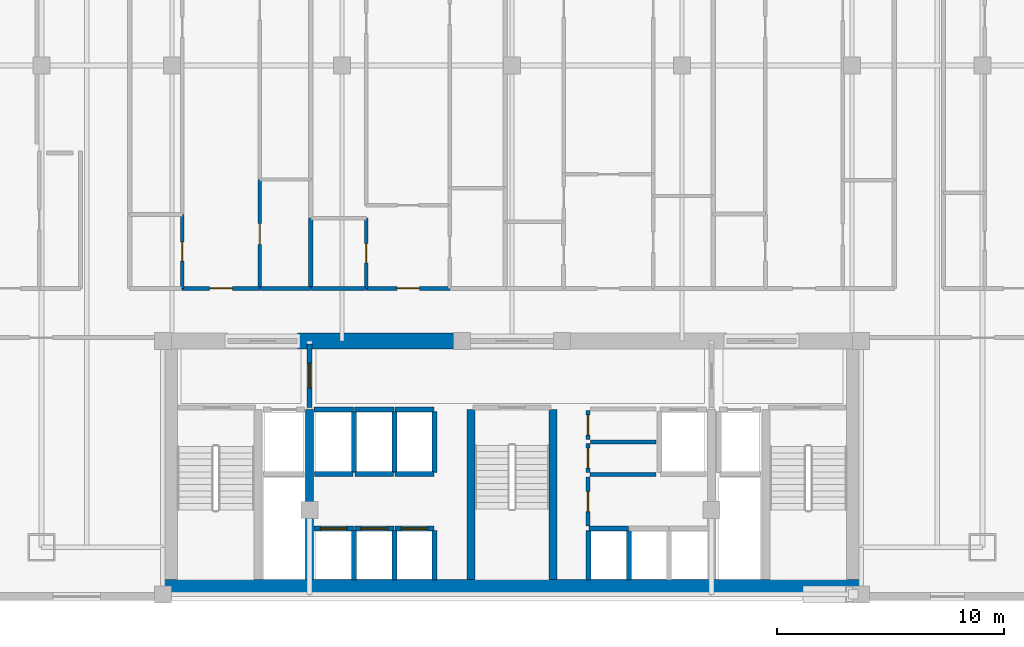
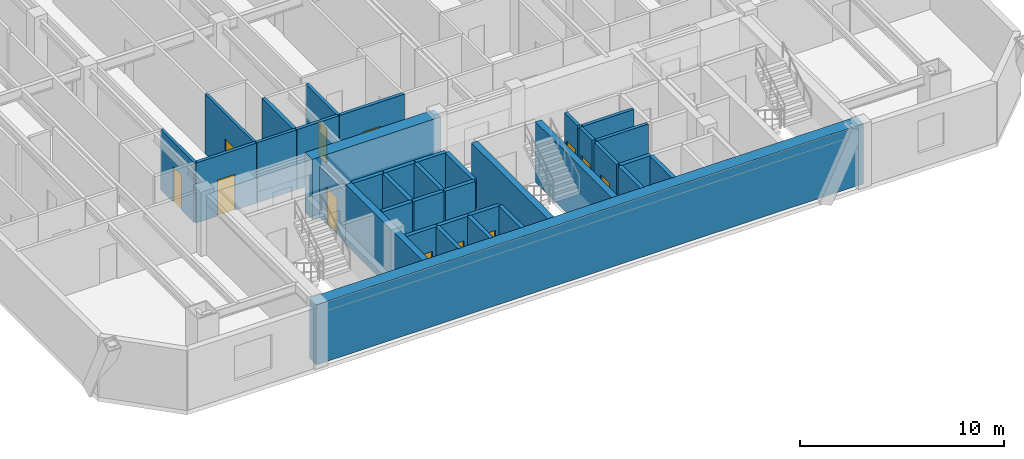
# One storey, part 3 of 11: 37 walls, 12 doors, 12 openings.
"""IFC4 building model written with IfcOpenShell, lengths in metres."""

from ifc_helpers import new_model, si_unit, direction, frame, frame_2d, origin, place, context, subcontext, project, spatial, rectangle, extrude, material, layer, layer_set, type_object, element, fill, save


model = new_model("IFC4")

# Units and contexts
model_context = context("Model", 3, precision=1e-05, world=origin(), true_north=direction((0.0, 1.0)))
body_context = subcontext(model_context, "Body", "Model", "MODEL_VIEW")
ifc_project = project(units=[si_unit("LENGTHUNIT", "METRE"), si_unit("AREAUNIT", "SQUARE_METRE"), si_unit("VOLUMEUNIT", "CUBIC_METRE"), si_unit("PLANEANGLEUNIT", "RADIAN"), si_unit("MASSUNIT", "GRAM", prefix="KILO")], contexts=[model_context])

# Site, building, storey
site_placement = place(None, origin())
site = spatial("IfcSite", under=ifc_project, at=site_placement, CompositionType="ELEMENT")
building_placement = place(site_placement, origin())
building = spatial("IfcBuilding", under=site, at=building_placement, Name="Ventersveld Concourse Tower", CompositionType="ELEMENT")
storey_placement = place(building_placement, frame((0.0, 0.0, 119.550048828125)))
storey = spatial("IfcBuildingStorey", under=building, at=storey_placement, Name="L29", CompositionType="ELEMENT", Elevation=119.550048828125)

# Walls
ifc_material_1 = material(Name="Concrete C60/75", Category="concrete")
ifc_layer_1 = layer(ifc_material_1, 0.35009765625)
ifc_layer_set_1 = layer_set([ifc_layer_1], Name="Concrete C60/75")
wall_type_1 = type_object("IfcWallType", Name="WL-CORE-350L", PredefinedType="SHEAR", material=ifc_layer_set_1)
for number, where, z_axis, x_axis, name in (
    (1, (19.820068359375, 0.919921875, 0.0), (0.0, 0.0, 1.0), (0.0, 1.0, 0.0), "L29 Core Internal Shear Web W-FF1-E"),
    (2, (26.93994140625, 0.919921875, 0.0), (0.0, 0.0, 1.0), (0.0, 1.0, 0.0), "L29 Core Internal Shear Web W-ST3-W"),
    (3, (30.56005859375, 0.919921875, 0.0), (0.0, 0.0, 1.0), (0.0, 1.0, 0.0), "L29 Core Internal Shear Web W-ST3-E"),
):
    element("IfcWall", number, at=place(storey_placement, frame(where, z_axis=z_axis, x_axis=x_axis)), inside=storey, type_object=wall_type_1, Name=name, PredefinedType="SHEAR", context=body_context, shape_type="SweptSolid", body=[
        extrude(rectangle(XDim=7.5, YDim=0.35009765625, at=frame_2d((3.75, 0.0))), origin(), (0.0, 0.0, 1.0), 3.599853515625),
    ])
ifc_layer_2 = layer(ifc_material_1, 0.699951171875)
ifc_layer_set_2 = layer_set([ifc_layer_2], Name="Concrete C60/75")
wall_type_2 = type_object("IfcWallType", Name="WL-CORE-700", PredefinedType="SHEAR", material=ifc_layer_set_2)
wall_1_placement = place(storey_placement, frame((13.25, 0.570068359375, 0.0), z_axis=(0.0, 0.0, 1.0), x_axis=(1.0, 0.0, 0.0)))
element("IfcWall", 4, at=wall_1_placement, inside=storey, type_object=wall_type_2, Name="L29 Rear Core South Shear Wall", PredefinedType="SHEAR", context=body_context, shape_type="SweptSolid", body=[
    extrude(rectangle(XDim=31.0, YDim=0.699951171875, at=frame_2d((15.5, 0.0))), origin(), (0.0, 0.0, 1.0), 3.599853515625),
])
wall_2_placement = place(storey_placement, frame((19.300048828125, 11.449951171875, 0.0), z_axis=(0.0, 0.0, 1.0), x_axis=(1.0, 0.0, 0.0)))
element("IfcWall", 5, at=wall_2_placement, inside=storey, type_object=wall_type_2, Name="L29 Rear Core North Shear Wall NML", PredefinedType="SHEAR", context=body_context, shape_type="SweptSolid", body=[
    extrude(rectangle(XDim=7.300048828125, YDim=0.699951171875, at=frame_2d((3.64990234375, 0.0))), origin(), (0.0, 0.0, 1.0), 3.599853515625),
])

# Wall, opening, door
ifc_material_2 = material(Name="Fire-rated autoclaved aerated masonry blockwork", Category="masonry")
ifc_layer_3 = layer(ifc_material_2, 0.179931640625)
ifc_layer_set_3 = layer_set([ifc_layer_3], Name="Fire-rated autoclaved aerated masonry blockwork")
wall_type_3 = type_object("IfcWallType", Name="WL-CORR-180", PredefinedType="PARTITIONING", material=ifc_layer_set_3)
wall_3_placement = place(storey_placement, frame((32.10009765625, 5.64990234375, 0.0), z_axis=(0.0, 0.0, 1.0), x_axis=(0.0, 1.0, 0.0)))
wall_3 = element("IfcWall", 6, at=wall_3_placement, inside=storey, type_object=wall_type_3, Name="L29 Core Passage Wall SP-L29-CBAY1S", PredefinedType="PARTITIONING", context=body_context, shape_type="SweptSolid", body=[
    extrude(rectangle(XDim=1.27001953125, YDim=0.179931640625, at=frame_2d((0.635009765625, 0.0))), origin(), (0.0, 0.0, 1.0), 3.599853515625),
])
opening_1_placement = place(wall_3_placement, frame((0.195068359375, 0.0, 0.0)))
opening_1 = element("IfcOpeningElement", 7, at=opening_1_placement, cuts=wall_3, Name="Opening FD5", PredefinedType="OPENING", context=body_context, shape_type="SweptSolid", body=[
    extrude(rectangle(XDim=0.8798828125, YDim=2.050048828125, at=frame_2d((0.43994140625, 1.02490234375))), frame((0.0, 0.10009765625, 0.0), z_axis=(0.0, -1.0, 0.0), x_axis=(1.0, 0.0, 0.0)), (0.0, 0.0, 1.0), 0.199951171875),
])
ifc_material_3 = material(Name="Galvanised painted steel", Category="steel")
door_type_1 = type_object("IfcDoorType", Name="DR-RISER-088", OperationType="NOTDEFINED", PredefinedType="DOOR", material=ifc_material_3)
door_1_placement = place(opening_1_placement, origin())
door_1 = element("IfcDoor", 8, at=door_1_placement, inside=storey, type_object=door_type_1, Name="L29 Core Room Door L29 Core Cleaner Store (CD-L29-1427)", OperationType="SINGLE_SWING_RIGHT", OverallHeight=2.050048828125, OverallWidth=0.8798828125, PredefinedType="DOOR", context=body_context, shape_type="SweptSolid", body=[
    extrude(rectangle(XDim=0.8798828125, YDim=2.050048828125, at=frame_2d((0.43994140625, 1.02490234375))), frame((0.0, 0.02490234375, 0.0), z_axis=(0.0, -1.0, 0.0), x_axis=(1.0, 0.0, 0.0)), (0.0, 0.0, 1.0), 0.050048828125),
])
fill(opening_1, door_1)

# Walls
wall_4_placement = place(storey_placement, frame((32.219970703125, 7.0, 0.0), z_axis=(0.0, 0.0, 1.0), x_axis=(1.0, 0.0, 0.0)))
element("IfcWall", 9, at=wall_4_placement, inside=storey, type_object=wall_type_3, Name="L29 Core Top Wall SP-L29-CBAY1S", PredefinedType="PARTITIONING", context=body_context, shape_type="SweptSolid", body=[
    extrude(rectangle(XDim=2.880126953125, YDim=0.179931640625, at=frame_2d((1.43994140625, 0.0))), origin(), (0.0, 0.0, 1.0), 3.599853515625),
])
wall_5_placement = place(storey_placement, frame((32.179931640625, 5.570068359375, 0.0), z_axis=(0.0, 0.0, 1.0), x_axis=(1.0, 0.0, 0.0)))
element("IfcWall", 10, at=wall_5_placement, inside=storey, type_object=wall_type_3, Name="L29 Core Bot Wall SP-L29-CBAY1S", PredefinedType="PARTITIONING", context=body_context, shape_type="SweptSolid", body=[
    extrude(rectangle(XDim=2.920166015625, YDim=0.179931640625, at=frame_2d((1.4599609375, 0.0))), origin(), (0.0, 0.0, 1.0), 3.599853515625),
])

# Wall, opening, door
wall_6_placement = place(storey_placement, frame((32.10009765625, 7.10009765625, 0.0), z_axis=(0.0, 0.0, 1.0), x_axis=(0.0, 1.0, 0.0)))
wall_6 = element("IfcWall", 11, at=wall_6_placement, inside=storey, type_object=wall_type_3, Name="L29 Core Passage Wall SP-L29-CBAY1N", PredefinedType="PARTITIONING", context=body_context, shape_type="SweptSolid", body=[
    extrude(rectangle(XDim=1.27978515625, YDim=0.179931640625, at=frame_2d((0.639892578125, 0.0))), origin(), (0.0, 0.0, 1.0), 3.599853515625),
])
opening_2_placement = place(wall_6_placement, frame((0.199951171875, 0.0, 0.0)))
opening_2 = element("IfcOpeningElement", 12, at=opening_2_placement, cuts=wall_6, Name="Opening FD5", PredefinedType="OPENING", context=body_context, shape_type="SweptSolid", body=[
    extrude(rectangle(XDim=0.8798828125, YDim=2.050048828125, at=frame_2d((0.43994140625, 1.02490234375))), frame((0.0, 0.10009765625, 0.0), z_axis=(0.0, -1.0, 0.0), x_axis=(1.0, 0.0, 0.0)), (0.0, 0.0, 1.0), 0.199951171875),
])
door_2_placement = place(opening_2_placement, origin())
door_2 = element("IfcDoor", 13, at=door_2_placement, inside=storey, type_object=door_type_1, Name="L29 Core Room Door L29 Core Concierge Desk Room (CD-L29-1428)", OperationType="SINGLE_SWING_LEFT", OverallHeight=2.050048828125, OverallWidth=0.8798828125, PredefinedType="DOOR", context=body_context, shape_type="SweptSolid", body=[
    extrude(rectangle(XDim=0.8798828125, YDim=2.050048828125, at=frame_2d((0.43994140625, 1.02490234375))), frame((0.0, 0.02490234375, 0.0), z_axis=(0.0, -1.0, 0.0), x_axis=(1.0, 0.0, 0.0)), (0.0, 0.0, 1.0), 0.050048828125),
])
fill(opening_2, door_2)

wall_7_placement = place(storey_placement, frame((32.10009765625, 3.280029296875, 0.0), z_axis=(0.0, 0.0, 1.0), x_axis=(0.0, 1.0, 0.0)))
wall_7 = element("IfcWall", 14, at=wall_7_placement, inside=storey, type_object=wall_type_3, Name="L29 Core Passage Wall SP-L29-CBAY2", PredefinedType="PARTITIONING", context=body_context, shape_type="SweptSolid", body=[
    extrude(rectangle(XDim=2.169921875, YDim=0.179931640625, at=frame_2d((1.0849609375, 0.0))), origin(), (0.0, 0.0, 1.0), 3.599853515625),
])
opening_3_placement = place(wall_7_placement, frame((0.64501953125, 0.0, 0.0)))
opening_3 = element("IfcOpeningElement", 15, at=opening_3_placement, cuts=wall_7, Name="Opening FD5", PredefinedType="OPENING", context=body_context, shape_type="SweptSolid", body=[
    extrude(rectangle(XDim=0.8798828125, YDim=2.050048828125, at=frame_2d((0.43994140625, 1.02490234375))), frame((0.0, 0.10009765625, 0.0), z_axis=(0.0, -1.0, 0.0), x_axis=(1.0, 0.0, 0.0)), (0.0, 0.0, 1.0), 0.199951171875),
])
door_3_placement = place(opening_3_placement, origin())
door_3 = element("IfcDoor", 16, at=door_3_placement, inside=storey, type_object=door_type_1, Name="L29 Core Room Door L29 Core Linen Alcove Store (CD-L29-1429)", OperationType="SINGLE_SWING_RIGHT", OverallHeight=2.050048828125, OverallWidth=0.8798828125, PredefinedType="DOOR", context=body_context, shape_type="SweptSolid", body=[
    extrude(rectangle(XDim=0.8798828125, YDim=2.050048828125, at=frame_2d((0.43994140625, 1.02490234375))), frame((0.0, 0.02490234375, 0.0), z_axis=(0.0, -1.0, 0.0), x_axis=(1.0, 0.0, 0.0)), (0.0, 0.0, 1.0), 0.050048828125),
])
fill(opening_3, door_3)

wall_8_placement = place(storey_placement, frame((14.2060546875, 13.77001953125, 0.0), z_axis=(0.0, 0.0, 1.0), x_axis=(1.0, 0.0, 0.0)))
wall_8 = element("IfcWall", 17, at=wall_8_placement, inside=storey, type_object=wall_type_3, Name="L29 Interior Partition SP-L29-COR-SP-L29-29N1-LIV", PredefinedType="PARTITIONING", context=body_context, shape_type="SweptSolid", body=[
    extrude(rectangle(XDim=3.422119140625, YDim=0.179931640625, at=frame_2d((1.7109375, 0.0))), origin(), (0.0, 0.0, 1.0), 3.599853515625),
])
opening_4_placement = place(wall_8_placement, frame((1.211181640625, 0.0, 0.0)))
opening_4 = element("IfcOpeningElement", 18, at=opening_4_placement, cuts=wall_8, Name="Opening FD3", PredefinedType="OPENING", context=body_context, shape_type="SweptSolid", body=[
    extrude(rectangle(XDim=1.0, YDim=2.14990234375, at=frame_2d((0.5, 1.074951171875))), frame((0.0, 0.10009765625, 0.0), z_axis=(0.0, -1.0, 0.0), x_axis=(1.0, 0.0, 0.0)), (0.0, 0.0, 1.0), 0.199951171875),
])
ifc_material_4 = material(Name="Solid-core hardwood veneer timber", Category="wood")
door_type_2 = type_object("IfcDoorType", Name="DR-FLAT-100", OperationType="NOTDEFINED", PredefinedType="DOOR", material=ifc_material_4)
door_4_placement = place(opening_4_placement, origin())
door_4 = element("IfcDoor", 19, at=door_4_placement, inside=storey, type_object=door_type_2, Name="L29 Interior Door SP-L29-COR to SP-L29-29N1-LIV (FD-L29-1434)", OperationType="SINGLE_SWING_RIGHT", OverallHeight=2.14990234375, OverallWidth=1.0, PredefinedType="DOOR", context=body_context, shape_type="SweptSolid", body=[
    extrude(rectangle(XDim=1.0, YDim=2.14990234375, at=frame_2d((0.5, 1.074951171875))), frame((0.0, 0.02490234375, 0.0), z_axis=(0.0, -1.0, 0.0), x_axis=(1.0, 0.0, 0.0)), (0.0, 0.0, 1.0), 0.050048828125),
])
fill(opening_4, door_4)

# Wall
wall_9_placement = place(storey_placement, frame((17.658203125, 13.77001953125, 0.0), z_axis=(0.0, 0.0, 1.0), x_axis=(1.0, 0.0, 0.0)))
element("IfcWall", 20, at=wall_9_placement, inside=storey, type_object=wall_type_3, Name="L29 Interior Partition SP-L29-COR-SP-L29-29N1-KIT", PredefinedType="PARTITIONING", context=body_context, shape_type="SweptSolid", body=[
    extrude(rectangle(XDim=2.22607421875, YDim=0.179931640625, at=frame_2d((1.113037109375, 0.0))), origin(), (0.0, 0.0, 1.0), 3.599853515625),
])

# Wall, opening, door
wall_10_placement = place(storey_placement, frame((22.3212890625, 13.77001953125, 0.0), z_axis=(0.0, 0.0, 1.0), x_axis=(1.0, 0.0, 0.0)))
wall_10 = element("IfcWall", 21, at=wall_10_placement, inside=storey, type_object=wall_type_3, Name="L29 Interior Partition SP-L29-COR-SP-L29-29N2-FOY", PredefinedType="PARTITIONING", context=body_context, shape_type="SweptSolid", body=[
    extrude(rectangle(XDim=3.692626953125, YDim=0.179931640625, at=frame_2d((1.84619140625, 0.0))), origin(), (0.0, 0.0, 1.0), 3.599853515625),
])
opening_5_placement = place(wall_10_placement, frame((1.34619140625, 0.0, 0.0)))
opening_5 = element("IfcOpeningElement", 22, at=opening_5_placement, cuts=wall_10, Name="Opening FD3", PredefinedType="OPENING", context=body_context, shape_type="SweptSolid", body=[
    extrude(rectangle(XDim=1.0, YDim=2.14990234375, at=frame_2d((0.5, 1.074951171875))), frame((0.0, 0.10009765625, 0.0), z_axis=(0.0, -1.0, 0.0), x_axis=(1.0, 0.0, 0.0)), (0.0, 0.0, 1.0), 0.199951171875),
])
door_5_placement = place(opening_5_placement, origin())
door_5 = element("IfcDoor", 23, at=door_5_placement, inside=storey, type_object=door_type_2, Name="L29 Interior Door SP-L29-COR to SP-L29-29N2-FOY (FD-L29-1435)", OperationType="SINGLE_SWING_LEFT", OverallHeight=2.14990234375, OverallWidth=1.0, PredefinedType="DOOR", context=body_context, shape_type="SweptSolid", body=[
    extrude(rectangle(XDim=1.0, YDim=2.14990234375, at=frame_2d((0.5, 1.074951171875))), frame((0.0, 0.02490234375, 0.0), z_axis=(0.0, -1.0, 0.0), x_axis=(1.0, 0.0, 0.0)), (0.0, 0.0, 1.0), 0.050048828125),
])
fill(opening_5, door_5)

# Walls
wall_11_placement = place(storey_placement, frame((19.914306640625, 13.77001953125, 0.0), z_axis=(0.0, 0.0, 1.0), x_axis=(1.0, 0.0, 0.0)))
element("IfcWall", 24, at=wall_11_placement, inside=storey, type_object=wall_type_3, Name="L29 Interior Partition SP-L29-COR-SP-L29-29N2-BATH", PredefinedType="PARTITIONING", context=body_context, shape_type="SweptSolid", body=[
    extrude(rectangle(XDim=2.377197265625, YDim=0.179931640625, at=frame_2d((1.1884765625, 0.0))), origin(), (0.0, 0.0, 1.0), 3.599853515625),
])
ifc_layer_4 = layer(ifc_material_2, 0.199951171875)
ifc_layer_set_4 = layer_set([ifc_layer_4], Name="Fire-rated autoclaved aerated masonry blockwork")
wall_type_4 = type_object("IfcWallType", Name="WL-DEMISE-200", PredefinedType="PARTITIONING", material=ifc_layer_set_4)
wall_12_placement = place(storey_placement, frame((19.879150390625, 13.764892578125, 0.0), z_axis=(0.0, 0.0, 1.0), x_axis=(0.0, 1.0, 0.0)))
element("IfcWall", 25, at=wall_12_placement, inside=storey, type_object=wall_type_4, Name="L29 Interior Partition SP-L29-29N1-KIT-SP-L29-29N2-BATH", PredefinedType="PARTITIONING", context=body_context, shape_type="SweptSolid", body=[
    extrude(rectangle(XDim=3.101318359375, YDim=0.199951171875, at=frame_2d((1.55078125, 0.0))), origin(), (0.0, 0.0, 1.0), 3.599853515625),
])
ifc_layer_5 = layer(ifc_material_2, 0.219970703125)
ifc_layer_set_5 = layer_set([ifc_layer_5], Name="Fire-rated autoclaved aerated masonry blockwork")
wall_type_5 = type_object("IfcWallType", Name="WL-HOIST-220", PredefinedType="SOLIDWALL", material=ifc_layer_set_5)
wall_13_placement = place(storey_placement, frame((21.780029296875, 0.89990234375, 0.0), z_axis=(0.0, 0.0, 1.0), x_axis=(0.0, 1.0, 0.0)))
element("IfcWall", 26, at=wall_13_placement, inside=storey, type_object=wall_type_5, Name="L29 Lift Hoistway Side Wall PL-01E", PredefinedType="SOLIDWALL", context=body_context, shape_type="SweptSolid", body=[
    extrude(rectangle(XDim=2.2001953125, YDim=0.219970703125, at=frame_2d((1.10009765625, 0.0))), origin(), (0.0, 0.0, 1.0), 3.599853515625),
])

# Wall, opening, door
wall_14_placement = place(storey_placement, frame((20.02001953125, 3.179931640625, 0.0), z_axis=(0.0, 0.0, 1.0), x_axis=(1.0, 0.0, 0.0)))
wall_14 = element("IfcWall", 27, at=wall_14_placement, inside=storey, type_object=wall_type_5, Name="L29 Lift Hoistway Front Wall PL-01", PredefinedType="SOLIDWALL", context=body_context, shape_type="SweptSolid", body=[
    extrude(rectangle(XDim=1.739990234375, YDim=0.219970703125, at=frame_2d((0.8701171875, 0.0))), origin(), (0.0, 0.0, 1.0), 3.599853515625),
])
opening_6_placement = place(wall_14_placement, frame((0.280029296875, 0.0, 0.0)))
opening_6 = element("IfcOpeningElement", 28, at=opening_6_placement, cuts=wall_14, Name="Opening LD2", PredefinedType="OPENING", context=body_context, shape_type="SweptSolid", body=[
    extrude(rectangle(XDim=1.179931640625, YDim=2.199951171875, at=frame_2d((0.58984375, 1.10009765625))), frame((0.0, 0.1201171875, 0.0), z_axis=(0.0, -1.0, 0.0), x_axis=(1.0, 0.0, 0.0)), (0.0, 0.0, 1.0), 0.239990234375),
])
ifc_material_5 = material(Name="Brushed stainless steel 316", Category="steel")
door_type_3 = type_object("IfcDoorType", Name="LD-PAX-118", OperationType="SLIDING_TO_LEFT", PredefinedType="DOOR", material=ifc_material_5)
door_6_placement = place(opening_6_placement, origin())
door_6 = element("IfcDoor", 29, at=door_6_placement, inside=storey, type_object=door_type_3, Name="L29 Lift landing door PL-01 (LD-L29-PL-01)", OperationType="SLIDING_TO_RIGHT", OverallHeight=2.199951171875, OverallWidth=1.179931640625, PredefinedType="DOOR", context=body_context, shape_type="SweptSolid", body=[
    extrude(rectangle(XDim=1.179931640625, YDim=2.199951171875, at=frame_2d((0.58984375, 1.10009765625))), frame((0.0, 0.02490234375, 0.0), z_axis=(0.0, -1.0, 0.0), x_axis=(1.0, 0.0, 0.0)), (0.0, 0.0, 1.0), 0.050048828125),
])
fill(opening_6, door_6)

# Wall
wall_15_placement = place(storey_placement, frame((23.56005859375, 0.89990234375, 0.0), z_axis=(0.0, 0.0, 1.0), x_axis=(0.0, 1.0, 0.0)))
element("IfcWall", 30, at=wall_15_placement, inside=storey, type_object=wall_type_5, Name="L29 Lift Hoistway Side Wall PL-02E", PredefinedType="SOLIDWALL", context=body_context, shape_type="SweptSolid", body=[
    extrude(rectangle(XDim=2.2001953125, YDim=0.219970703125, at=frame_2d((1.10009765625, 0.0))), origin(), (0.0, 0.0, 1.0), 3.599853515625),
])

# Wall, opening, door
wall_16_placement = place(storey_placement, frame((21.800048828125, 3.179931640625, 0.0), z_axis=(0.0, 0.0, 1.0), x_axis=(1.0, 0.0, 0.0)))
wall_16 = element("IfcWall", 31, at=wall_16_placement, inside=storey, type_object=wall_type_5, Name="L29 Lift Hoistway Front Wall PL-02", PredefinedType="SOLIDWALL", context=body_context, shape_type="SweptSolid", body=[
    extrude(rectangle(XDim=1.739990234375, YDim=0.219970703125, at=frame_2d((0.8701171875, 0.0))), origin(), (0.0, 0.0, 1.0), 3.599853515625),
])
opening_7_placement = place(wall_16_placement, frame((0.280029296875, 0.0, 0.0)))
opening_7 = element("IfcOpeningElement", 32, at=opening_7_placement, cuts=wall_16, Name="Opening LD2", PredefinedType="OPENING", context=body_context, shape_type="SweptSolid", body=[
    extrude(rectangle(XDim=1.179931640625, YDim=2.199951171875, at=frame_2d((0.58984375, 1.10009765625))), frame((0.0, 0.1201171875, 0.0), z_axis=(0.0, -1.0, 0.0), x_axis=(1.0, 0.0, 0.0)), (0.0, 0.0, 1.0), 0.239990234375),
])
door_7_placement = place(opening_7_placement, origin())
door_7 = element("IfcDoor", 33, at=door_7_placement, inside=storey, type_object=door_type_3, Name="L29 Lift landing door PL-02 (LD-L29-PL-02)", OperationType="SLIDING_TO_LEFT", OverallHeight=2.199951171875, OverallWidth=1.179931640625, PredefinedType="DOOR", context=body_context, shape_type="SweptSolid", body=[
    extrude(rectangle(XDim=1.179931640625, YDim=2.199951171875, at=frame_2d((0.58984375, 1.10009765625))), frame((0.0, 0.02490234375, 0.0), z_axis=(0.0, -1.0, 0.0), x_axis=(1.0, 0.0, 0.0)), (0.0, 0.0, 1.0), 0.050048828125),
])
fill(opening_7, door_7)

# Wall
wall_17_placement = place(storey_placement, frame((25.340087890625, 0.89990234375, 0.0), z_axis=(0.0, 0.0, 1.0), x_axis=(0.0, 1.0, 0.0)))
element("IfcWall", 34, at=wall_17_placement, inside=storey, type_object=wall_type_5, Name="L29 Lift Hoistway Side Wall PL-03E", PredefinedType="SOLIDWALL", context=body_context, shape_type="SweptSolid", body=[
    extrude(rectangle(XDim=2.2001953125, YDim=0.219970703125, at=frame_2d((1.10009765625, 0.0))), origin(), (0.0, 0.0, 1.0), 3.599853515625),
])

# Wall, opening, door
wall_18_placement = place(storey_placement, frame((23.580078125, 3.179931640625, 0.0), z_axis=(0.0, 0.0, 1.0), x_axis=(1.0, 0.0, 0.0)))
wall_18 = element("IfcWall", 35, at=wall_18_placement, inside=storey, type_object=wall_type_5, Name="L29 Lift Hoistway Front Wall PL-03", PredefinedType="SOLIDWALL", context=body_context, shape_type="SweptSolid", body=[
    extrude(rectangle(XDim=1.739990234375, YDim=0.219970703125, at=frame_2d((0.8701171875, 0.0))), origin(), (0.0, 0.0, 1.0), 3.599853515625),
])
opening_8_placement = place(wall_18_placement, frame((0.280029296875, 0.0, 0.0)))
opening_8 = element("IfcOpeningElement", 36, at=opening_8_placement, cuts=wall_18, Name="Opening LD2", PredefinedType="OPENING", context=body_context, shape_type="SweptSolid", body=[
    extrude(rectangle(XDim=1.179931640625, YDim=2.199951171875, at=frame_2d((0.58984375, 1.10009765625))), frame((0.0, 0.1201171875, 0.0), z_axis=(0.0, -1.0, 0.0), x_axis=(1.0, 0.0, 0.0)), (0.0, 0.0, 1.0), 0.239990234375),
])
door_8_placement = place(opening_8_placement, origin())
door_8 = element("IfcDoor", 37, at=door_8_placement, inside=storey, type_object=door_type_3, Name="L29 Lift landing door PL-03 (LD-L29-PL-03)", OperationType="SLIDING_TO_RIGHT", OverallHeight=2.199951171875, OverallWidth=1.179931640625, PredefinedType="DOOR", context=body_context, shape_type="SweptSolid", body=[
    extrude(rectangle(XDim=1.179931640625, YDim=2.199951171875, at=frame_2d((0.58984375, 1.10009765625))), frame((0.0, 0.02490234375, 0.0), z_axis=(0.0, -1.0, 0.0), x_axis=(1.0, 0.0, 0.0)), (0.0, 0.0, 1.0), 0.050048828125),
])
fill(opening_8, door_8)

# Walls
for number, where, z_axis, x_axis, name in (
    (38, (32.1201171875, 0.89990234375, 0.0), (0.0, 0.0, 1.0), (0.0, 1.0, 0.0), "L29 Lift Hoistway Side Wall PM-01W"),
    (39, (33.89990234375, 0.89990234375, 0.0), (0.0, 0.0, 1.0), (0.0, 1.0, 0.0), "L29 Lift Hoistway Side Wall PM-01E"),
):
    element("IfcWall", number, at=place(storey_placement, frame(where, z_axis=z_axis, x_axis=x_axis)), inside=storey, type_object=wall_type_5, Name=name, PredefinedType="SOLIDWALL", context=body_context, shape_type="SweptSolid", body=[
        extrude(rectangle(XDim=2.2001953125, YDim=0.219970703125, at=frame_2d((1.10009765625, 0.0))), origin(), (0.0, 0.0, 1.0), 3.599853515625),
    ])
wall_19_placement = place(storey_placement, frame((32.139892578125, 3.179931640625, 0.0), z_axis=(0.0, 0.0, 1.0), x_axis=(1.0, 0.0, 0.0)))
element("IfcWall", 40, at=wall_19_placement, inside=storey, type_object=wall_type_5, Name="L29 Lift Hoistway Front Wall PM-01", PredefinedType="SOLIDWALL", context=body_context, shape_type="SweptSolid", body=[
    extrude(rectangle(XDim=1.739990234375, YDim=0.219970703125, at=frame_2d((0.8701171875, 0.0))), origin(), (0.0, 0.0, 1.0), 3.599853515625),
])
wall_20_placement = place(storey_placement, frame((20.0400390625, 5.590087890625, 0.0), z_axis=(0.0, 0.0, 1.0), x_axis=(1.0, 0.0, 0.0)))
element("IfcWall", 41, at=wall_20_placement, inside=storey, type_object=wall_type_5, Name="L29 Lift Hoistway Back Wall PH-01", PredefinedType="SOLIDWALL", context=body_context, shape_type="SweptSolid", body=[
    extrude(rectangle(XDim=1.699951171875, YDim=0.219970703125, at=frame_2d((0.85009765625, 0.0))), origin(), (0.0, 0.0, 1.0), 3.599853515625),
])
wall_21_placement = place(storey_placement, frame((21.780029296875, 5.64990234375, 0.0), z_axis=(0.0, 0.0, 1.0), x_axis=(0.0, 1.0, 0.0)))
element("IfcWall", 42, at=wall_21_placement, inside=storey, type_object=wall_type_5, Name="L29 Lift Hoistway Side Wall PH-01E", PredefinedType="SOLIDWALL", context=body_context, shape_type="SweptSolid", body=[
    extrude(rectangle(XDim=2.7001953125, YDim=0.219970703125, at=frame_2d((1.35009765625, 0.0))), origin(), (0.0, 0.0, 1.0), 3.599853515625),
])
wall_22_placement = place(storey_placement, frame((20.02001953125, 8.429931640625, 0.0), z_axis=(0.0, 0.0, 1.0), x_axis=(1.0, 0.0, 0.0)))
element("IfcWall", 43, at=wall_22_placement, inside=storey, type_object=wall_type_5, Name="L29 Lift Hoistway Front Wall PH-01", PredefinedType="SOLIDWALL", context=body_context, shape_type="SweptSolid", body=[
    extrude(rectangle(XDim=1.739990234375, YDim=0.219970703125, at=frame_2d((0.8701171875, 0.0))), origin(), (0.0, 0.0, 1.0), 3.599853515625),
])
wall_23_placement = place(storey_placement, frame((21.820068359375, 5.590087890625, 0.0), z_axis=(0.0, 0.0, 1.0), x_axis=(1.0, 0.0, 0.0)))
element("IfcWall", 44, at=wall_23_placement, inside=storey, type_object=wall_type_5, Name="L29 Lift Hoistway Back Wall PH-02", PredefinedType="SOLIDWALL", context=body_context, shape_type="SweptSolid", body=[
    extrude(rectangle(XDim=1.699951171875, YDim=0.219970703125, at=frame_2d((0.85009765625, 0.0))), origin(), (0.0, 0.0, 1.0), 3.599853515625),
])
wall_24_placement = place(storey_placement, frame((23.56005859375, 5.64990234375, 0.0), z_axis=(0.0, 0.0, 1.0), x_axis=(0.0, 1.0, 0.0)))
element("IfcWall", 45, at=wall_24_placement, inside=storey, type_object=wall_type_5, Name="L29 Lift Hoistway Side Wall PH-02E", PredefinedType="SOLIDWALL", context=body_context, shape_type="SweptSolid", body=[
    extrude(rectangle(XDim=2.7001953125, YDim=0.219970703125, at=frame_2d((1.35009765625, 0.0))), origin(), (0.0, 0.0, 1.0), 3.599853515625),
])
wall_25_placement = place(storey_placement, frame((21.800048828125, 8.429931640625, 0.0), z_axis=(0.0, 0.0, 1.0), x_axis=(1.0, 0.0, 0.0)))
element("IfcWall", 46, at=wall_25_placement, inside=storey, type_object=wall_type_5, Name="L29 Lift Hoistway Front Wall PH-02", PredefinedType="SOLIDWALL", context=body_context, shape_type="SweptSolid", body=[
    extrude(rectangle(XDim=1.739990234375, YDim=0.219970703125, at=frame_2d((0.8701171875, 0.0))), origin(), (0.0, 0.0, 1.0), 3.599853515625),
])
wall_26_placement = place(storey_placement, frame((23.60009765625, 5.590087890625, 0.0), z_axis=(0.0, 0.0, 1.0), x_axis=(1.0, 0.0, 0.0)))
element("IfcWall", 47, at=wall_26_placement, inside=storey, type_object=wall_type_5, Name="L29 Lift Hoistway Back Wall PH-03", PredefinedType="SOLIDWALL", context=body_context, shape_type="SweptSolid", body=[
    extrude(rectangle(XDim=1.699951171875, YDim=0.219970703125, at=frame_2d((0.85009765625, 0.0))), origin(), (0.0, 0.0, 1.0), 3.599853515625),
])
wall_27_placement = place(storey_placement, frame((25.340087890625, 5.64990234375, 0.0), z_axis=(0.0, 0.0, 1.0), x_axis=(0.0, 1.0, 0.0)))
element("IfcWall", 48, at=wall_27_placement, inside=storey, type_object=wall_type_5, Name="L29 Lift Hoistway Side Wall PH-03E", PredefinedType="SOLIDWALL", context=body_context, shape_type="SweptSolid", body=[
    extrude(rectangle(XDim=2.7001953125, YDim=0.219970703125, at=frame_2d((1.35009765625, 0.0))), origin(), (0.0, 0.0, 1.0), 3.599853515625),
])
wall_28_placement = place(storey_placement, frame((23.580078125, 8.429931640625, 0.0), z_axis=(0.0, 0.0, 1.0), x_axis=(1.0, 0.0, 0.0)))
element("IfcWall", 49, at=wall_28_placement, inside=storey, type_object=wall_type_5, Name="L29 Lift Hoistway Front Wall PH-03", PredefinedType="SOLIDWALL", context=body_context, shape_type="SweptSolid", body=[
    extrude(rectangle(XDim=1.739990234375, YDim=0.219970703125, at=frame_2d((0.8701171875, 0.0))), origin(), (0.0, 0.0, 1.0), 3.599853515625),
])

# Wall, opening, door
wall_29_placement = place(storey_placement, frame((19.820068359375, 8.52001953125, 0.0), z_axis=(0.0, 0.0, 1.0), x_axis=(0.0, 1.0, 0.0)))
wall_29 = element("IfcWall", 50, at=wall_29_placement, inside=storey, type_object=wall_type_5, Name="L29 Firefighting Lobby Smoke-Stop Wall FFLW-SEP", PredefinedType="SOLIDWALL", context=body_context, shape_type="SweptSolid", body=[
    extrude(rectangle(XDim=2.800048828125, YDim=0.219970703125, at=frame_2d((1.39990234375, 0.0))), origin(), (0.0, 0.0, 1.0), 3.055419921875),
])
opening_9_placement = place(wall_29_placement, frame((0.85009765625, 0.0, 0.0)))
opening_9 = element("IfcOpeningElement", 51, at=opening_9_placement, cuts=wall_29, Name="Opening FD2", PredefinedType="OPENING", context=body_context, shape_type="SweptSolid", body=[
    extrude(rectangle(XDim=1.10009765625, YDim=2.199951171875, at=frame_2d((0.550048828125, 1.10009765625))), frame((0.0, 0.1201171875, 0.0), z_axis=(0.0, -1.0, 0.0), x_axis=(1.0, 0.0, 0.0)), (0.0, 0.0, 1.0), 0.239990234375),
])
door_type_4 = type_object("IfcDoorType", Name="DR-FFL-110", OperationType="NOTDEFINED", PredefinedType="DOOR", material=ifc_material_3)
door_9_placement = place(opening_9_placement, origin())
door_9 = element("IfcDoor", 52, at=door_9_placement, inside=storey, type_object=door_type_4, Name="L29 Firefighting Lobby Door FFLW-SEP (FD-L29-1422)", OperationType="SINGLE_SWING_LEFT", OverallHeight=2.199951171875, OverallWidth=1.10009765625, PredefinedType="DOOR", context=body_context, shape_type="SweptSolid", body=[
    extrude(rectangle(XDim=1.10009765625, YDim=2.199951171875, at=frame_2d((0.550048828125, 1.10009765625))), frame((0.0, 0.02490234375, 0.0), z_axis=(0.0, -1.0, 0.0), x_axis=(1.0, 0.0, 0.0)), (0.0, 0.0, 1.0), 0.050048828125),
])
fill(opening_9, door_9)

ifc_material_6 = material(Name="Autoclaved aerated masonry blockwork", Category="masonry")
ifc_layer_6 = layer(ifc_material_6, 0.14990234375)
ifc_layer_set_6 = layer_set([ifc_layer_6], Name="Autoclaved aerated masonry blockwork")
wall_type_6 = type_object("IfcWallType", Name="WL-INT-150", PredefinedType="PARTITIONING", material=ifc_layer_set_6)
wall_30_placement = place(storey_placement, frame((17.623291015625, 13.764892578125, 0.0), z_axis=(0.0, 0.0, 1.0), x_axis=(0.0, 1.0, 0.0)))
wall_30 = element("IfcWall", 53, at=wall_30_placement, inside=storey, type_object=wall_type_6, Name="L29 Interior Partition SP-L29-29N1-LIV-SP-L29-29N1-KIT", PredefinedType="PARTITIONING", context=body_context, shape_type="SweptSolid", body=[
    extrude(rectangle(XDim=4.814453125, YDim=0.14990234375, at=frame_2d((2.4072265625, 0.0))), origin(), (0.0, 0.0, 1.0), 3.599853515625),
])
opening_10_placement = place(wall_30_placement, frame((1.947021484375, 0.0, 0.0)))
opening_10 = element("IfcOpeningElement", 54, at=opening_10_placement, cuts=wall_30, Name="Opening ID1", PredefinedType="OPENING", context=body_context, shape_type="SweptSolid", body=[
    extrude(rectangle(XDim=0.919921875, YDim=2.10009765625, at=frame_2d((0.4599609375, 1.050048828125))), frame((0.0, 0.0849609375, 0.0), z_axis=(0.0, -1.0, 0.0), x_axis=(1.0, 0.0, 0.0)), (0.0, 0.0, 1.0), 0.169921875),
])
door_type_5 = type_object("IfcDoorType", Name="DR-ROOM-092", OperationType="NOTDEFINED", PredefinedType="DOOR", material=ifc_material_4)
door_10_placement = place(opening_10_placement, origin())
door_10 = element("IfcDoor", 55, at=door_10_placement, inside=storey, type_object=door_type_5, Name="L29 Interior Door SP-L29-29N1-LIV to SP-L29-29N1-KIT (D-L29-1449)", OperationType="SINGLE_SWING_LEFT", OverallHeight=2.10009765625, OverallWidth=0.919921875, PredefinedType="DOOR", context=body_context, shape_type="SweptSolid", body=[
    extrude(rectangle(XDim=0.919921875, YDim=2.10009765625, at=frame_2d((0.4599609375, 1.050048828125))), frame((0.0, 0.02490234375, 0.0), z_axis=(0.0, -1.0, 0.0), x_axis=(1.0, 0.0, 0.0)), (0.0, 0.0, 1.0), 0.050048828125),
])
fill(opening_10, door_10)

ifc_layer_7 = layer(ifc_material_6, 0.1650390625)
ifc_layer_set_7 = layer_set([ifc_layer_7], Name="Autoclaved aerated masonry blockwork")
wall_type_7 = type_object("IfcWallType", Name="WL-WET-165", PredefinedType="PLUMBINGWALL", material=ifc_layer_set_7)
wall_31_placement = place(storey_placement, frame((14.2109375, 13.764892578125, 0.0), z_axis=(0.0, 0.0, 1.0), x_axis=(0.0, 1.0, 0.0)))
wall_31 = element("IfcWall", 56, at=wall_31_placement, inside=storey, type_object=wall_type_7, Name="L29 Interior Partition SP-L29-29N1-LIV-SP-L29-29N1-BATH", PredefinedType="PLUMBINGWALL", context=body_context, shape_type="SweptSolid", body=[
    extrude(rectangle(XDim=3.272705078125, YDim=0.1650390625, at=frame_2d((1.63623046875, 0.0))), origin(), (0.0, 0.0, 1.0), 3.599853515625),
])
opening_11_placement = place(wall_31_placement, frame((1.21142578125, 0.0, 0.0)))
opening_11 = element("IfcOpeningElement", 57, at=opening_11_placement, cuts=wall_31, Name="Opening ID2", PredefinedType="OPENING", context=body_context, shape_type="SweptSolid", body=[
    extrude(rectangle(XDim=0.85009765625, YDim=2.10009765625, at=frame_2d((0.425048828125, 1.050048828125))), frame((0.0, 0.092529296875, 0.0), z_axis=(0.0, -1.0, 0.0), x_axis=(1.0, 0.0, 0.0)), (0.0, 0.0, 1.0), 0.18505859375),
])
door_type_6 = type_object("IfcDoorType", Name="DR-BATH-085", OperationType="NOTDEFINED", PredefinedType="DOOR", material=ifc_material_4)
door_11_placement = place(opening_11_placement, origin())
door_11 = element("IfcDoor", 58, at=door_11_placement, inside=storey, type_object=door_type_6, Name="L29 Interior Door SP-L29-29N1-LIV to SP-L29-29N1-BATH (D-L29-1447)", OperationType="SINGLE_SWING_LEFT", OverallHeight=2.10009765625, OverallWidth=0.85009765625, PredefinedType="DOOR", context=body_context, shape_type="SweptSolid", body=[
    extrude(rectangle(XDim=0.85009765625, YDim=2.10009765625, at=frame_2d((0.425048828125, 1.050048828125))), frame((0.0, 0.02490234375, 0.0), z_axis=(0.0, -1.0, 0.0), x_axis=(1.0, 0.0, 0.0)), (0.0, 0.0, 1.0), 0.050048828125),
])
fill(opening_11, door_11)

wall_32_placement = place(storey_placement, frame((22.326416015625, 13.764892578125, 0.0), z_axis=(0.0, 0.0, 1.0), x_axis=(0.0, 1.0, 0.0)))
wall_32 = element("IfcWall", 59, at=wall_32_placement, inside=storey, type_object=wall_type_7, Name="L29 Interior Partition SP-L29-29N2-FOY-SP-L29-29N2-BATH", PredefinedType="PLUMBINGWALL", context=body_context, shape_type="SweptSolid", body=[
    extrude(rectangle(XDim=3.101318359375, YDim=0.1650390625, at=frame_2d((1.55078125, 0.0))), origin(), (0.0, 0.0, 1.0), 3.599853515625),
])
opening_12_placement = place(wall_32_placement, frame((1.12548828125, 0.0, 0.0)))
opening_12 = element("IfcOpeningElement", 60, at=opening_12_placement, cuts=wall_32, Name="Opening ID2", PredefinedType="OPENING", context=body_context, shape_type="SweptSolid", body=[
    extrude(rectangle(XDim=0.85009765625, YDim=2.10009765625, at=frame_2d((0.425048828125, 1.050048828125))), frame((0.0, 0.092529296875, 0.0), z_axis=(0.0, -1.0, 0.0), x_axis=(1.0, 0.0, 0.0)), (0.0, 0.0, 1.0), 0.18505859375),
])
door_12_placement = place(opening_12_placement, origin())
door_12 = element("IfcDoor", 61, at=door_12_placement, inside=storey, type_object=door_type_6, Name="L29 Interior Door SP-L29-29N2-FOY to SP-L29-29N2-BATH (D-L29-1455)", OperationType="SINGLE_SWING_LEFT", OverallHeight=2.10009765625, OverallWidth=0.85009765625, PredefinedType="DOOR", context=body_context, shape_type="SweptSolid", body=[
    extrude(rectangle(XDim=0.85009765625, YDim=2.10009765625, at=frame_2d((0.425048828125, 1.050048828125))), frame((0.0, 0.02490234375, 0.0), z_axis=(0.0, -1.0, 0.0), x_axis=(1.0, 0.0, 0.0)), (0.0, 0.0, 1.0), 0.050048828125),
])
fill(opening_12, door_12)

save(model, "model.ifc")
